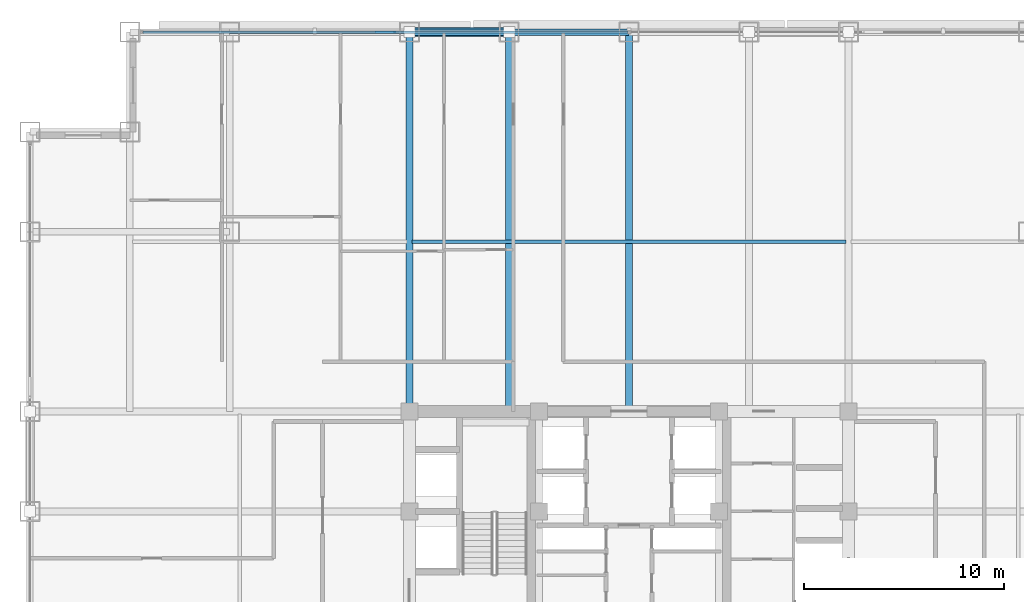
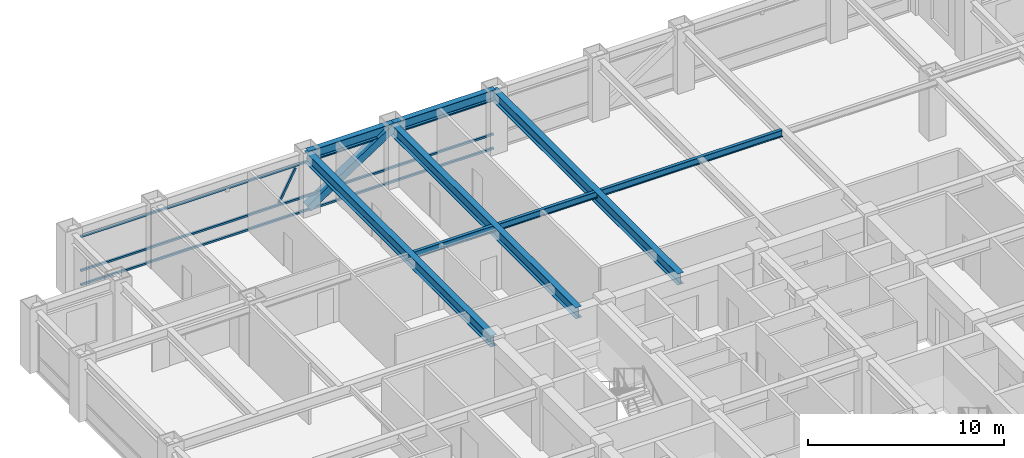
# One storey, part 15 of 29: 6 beams, 5 members, 1 element without a shape of its own.
"""IFC4 building model written with IfcOpenShell, lengths in metres."""

from ifc_helpers import new_model, si_unit, direction, frame, origin, origin_2d, place, context, subcontext, project, spatial, hollow_rectangle, i_section, extrude, source, transform, mapped, material, material_profile, profile_set, type_object, element, aggregate, save


model = new_model("IFC4")

# Units and contexts
model_context = context("Model", 3, precision=1e-05, world=origin(), true_north=direction((0.0, 1.0)))
body_context = subcontext(model_context, "Body", "Model", "MODEL_VIEW")
ifc_project = project(units=[si_unit("LENGTHUNIT", "METRE"), si_unit("AREAUNIT", "SQUARE_METRE"), si_unit("VOLUMEUNIT", "CUBIC_METRE"), si_unit("PLANEANGLEUNIT", "RADIAN"), si_unit("MASSUNIT", "GRAM", prefix="KILO")], contexts=[model_context])

# Site, building, storey
site_placement = place(None, origin())
site = spatial("IfcSite", under=ifc_project, at=site_placement, CompositionType="ELEMENT")
building_placement = place(site_placement, origin())
building = spatial("IfcBuilding", under=site, at=building_placement, Name="Khorayat Bourse Tower", CompositionType="ELEMENT")
storey_placement = place(building_placement, frame((0.0, 0.0, 243.10009765625)))
storey = spatial("IfcBuildingStorey", under=building, at=storey_placement, Name="L57", CompositionType="ELEMENT", Elevation=243.10009765625)

# Beams
ifc_material_1 = material(Name="Steel ASTM A992 Grade 50", Category="steel")
ifc_material_profile_1 = material_profile(ifc_material_1, i_section(OverallWidth=0.180908203125, OverallDepth=0.4169921875, WebThickness=0.010986328125, FlangeThickness=0.018310546875, FilletRadius=0.011962890625, at=origin_2d()), Name="W410X85")
ifc_profile_set_1 = profile_set([ifc_material_profile_1], Name="Steel ASTM A992 Grade 50")
beam_type_1 = type_object("IfcBeamType", Name="BM-JOIST-410", PredefinedType="JOIST", material=ifc_profile_set_1)
shared_shape_1 = source(origin(), body_context, "Body", "SweptSolid", [
    extrude(i_section(OverallWidth=0.180908203125, OverallDepth=0.4169921875, WebThickness=0.010986328125, FlangeThickness=0.018310546875, FilletRadius=0.011962890625, at=origin_2d()), origin(), (0.0, 0.0, 1.0), 21.740234375),
])
beam_1_placement = place(storey_placement, frame((-10.8701171875, 19.5, 3.5712890625), z_axis=(1.0, 0.0, 0.0), x_axis=(0.0, 1.0, 0.0)))
element("IfcBeam", 1, at=beam_1_placement, inside=storey, type_object=beam_type_1, Name="L57 BM-JOIST-410 BM-L57-JSTX-100", PredefinedType="JOIST", context=body_context, shape_type="MappedRepresentation", body=[
    mapped(shared_shape_1, transform((0.0, 0.0, 0.0), scale=1.0)),
])
ifc_material_profile_2 = material_profile(ifc_material_1, i_section(OverallWidth=0.324951171875, OverallDepth=0.615966796875, WebThickness=0.013916015625, FlangeThickness=0.021484375, FilletRadius=0.01611328125, at=origin_2d()), Name="W610X174")
ifc_profile_set_2 = profile_set([ifc_material_profile_2], Name="Steel ASTM A992 Grade 50")
beam_type_2 = type_object("IfcBeamType", Name="BM-SPAN-610", PredefinedType="SPANDREL", material=ifc_profile_set_2)
shared_shape_2 = source(origin(), body_context, "Body", "SweptSolid", [
    extrude(i_section(OverallWidth=0.324951171875, OverallDepth=0.615966796875, WebThickness=0.013916015625, FlangeThickness=0.021484375, FilletRadius=0.01611328125, at=origin_2d()), origin(), (0.0, 0.0, 1.0), 5.0),
])
beam_2_placement = place(storey_placement, frame((-11.0, 30.0, 3.471923828125), z_axis=(1.0, 0.0, 0.0), x_axis=(0.0, 1.0, 0.0)))
element("IfcBeam", 2, at=beam_2_placement, inside=storey, type_object=beam_type_2, Name="L57 BM-SPAN-610 BM-L57-SPN-049", PredefinedType="SPANDREL", context=body_context, shape_type="MappedRepresentation", body=[
    mapped(shared_shape_2, transform((0.0, 0.0, 0.0), scale=1.0)),
])
shared_shape_3 = source(origin(), body_context, "Body", "SweptSolid", [
    extrude(i_section(OverallWidth=0.324951171875, OverallDepth=0.615966796875, WebThickness=0.013916015625, FlangeThickness=0.021484375, FilletRadius=0.01611328125, at=origin_2d()), origin(), (0.0, 0.0, 1.0), 6.0),
])
beam_3_placement = place(storey_placement, frame((-6.0, 30.0, 3.471923828125), z_axis=(1.0, 0.0, 0.0), x_axis=(0.0, 1.0, 0.0)))
element("IfcBeam", 3, at=beam_3_placement, inside=storey, type_object=beam_type_2, Name="L57 BM-SPAN-610 BM-L57-SPN-048", PredefinedType="SPANDREL", context=body_context, shape_type="MappedRepresentation", body=[
    mapped(shared_shape_3, transform((0.0, 0.0, 0.0), scale=1.0)),
])
ifc_material_profile_3 = material_profile(ifc_material_1, i_section(OverallWidth=0.35498046875, OverallDepth=0.695068359375, WebThickness=0.015380859375, FlangeThickness=0.02490234375, FilletRadius=0.01806640625, at=origin_2d()), Name="W690X217")
ifc_profile_set_3 = profile_set([ifc_material_profile_3], Name="Steel ASTM A992 Grade 50")
beam_type_3 = type_object("IfcBeamType", Name="BM-GIRD-690", PredefinedType="BEAM", material=ifc_profile_set_3)
shared_shape_4 = source(origin(), body_context, "Body", "SweptSolid", [
    extrude(i_section(OverallWidth=0.35498046875, OverallDepth=0.695068359375, WebThickness=0.015380859375, FlangeThickness=0.02490234375, FilletRadius=0.01806640625, at=origin_2d()), origin(), (0.0, 0.0, 1.0), 19.0),
])
for number, where, z_axis, x_axis, name in (
    (4, (-11.0, 11.0, 3.432373046875), (0.0, 1.0, 0.0), (-1.0, 0.0, 0.0), "L57 BM-GIRD-690 BM-L57-RADY-064"),
    (5, (-6.0, 11.0, 3.432373046875), (0.0, 1.0, 0.0), (-1.0, 0.0, 0.0), "L57 BM-GIRD-690 BM-L57-RADY-066"),
    (6, (0.0, 11.0, 3.432373046875), (0.0, 1.0, 0.0), (-1.0, 0.0, 0.0), "L57 BM-GIRD-690 BM-L57-RADY-068"),
):
    element("IfcBeam", number, at=place(storey_placement, frame(where, z_axis=z_axis, x_axis=x_axis)), inside=storey, type_object=beam_type_3, Name=name, PredefinedType="BEAM", context=body_context, shape_type="MappedRepresentation", body=[
        mapped(shared_shape_4, transform((0.0, 0.0, 0.0), scale=1.0)),
    ])

# Member
ifc_material_2 = material(Name="Steel EN 10025-4 S460M", Category="steel")
ifc_material_profile_4 = material_profile(ifc_material_2, hollow_rectangle(XDim=0.449951171875, YDim=0.449951171875, WallThickness=0.02490234375, at=origin_2d()), Name="HSS 450x450x25")
ifc_profile_set_4 = profile_set([ifc_material_profile_4], Name="Steel EN 10025-4 S460M")
member_type_1 = type_object("IfcMemberType", Name="MBR-TUBE-450", PredefinedType="BRACE", material=ifc_profile_set_4)
shared_shape_5 = source(origin(), body_context, "Body", "SweptSolid", [
    extrude(hollow_rectangle(XDim=0.449951171875, YDim=0.449951171875, WallThickness=0.02490234375, at=origin_2d()), origin(), (0.0, 0.0, 1.0), 5.979736328125),
])
member_1_placement = place(storey_placement, frame((-11.0, 30.0, 0.25), z_axis=(0.836160261256, 0.0, 0.548485202623), x_axis=(0.0, 1.0, 0.0)))
element("IfcMember", 7, at=member_1_placement, inside=storey, type_object=member_type_1, Name="L57 Perimeter Tube Brace 03", PredefinedType="BRACE", context=body_context, shape_type="MappedRepresentation", body=[
    mapped(shared_shape_5, transform((0.0, 0.0, 0.0), scale=1.0)),
])

# Curtain wall, members
ifc_material_3 = material(Name="Aluminium EN AW-6063 T6", Category="aluminium")
curtain_wall_type = type_object("IfcCurtainWallType", Name="CW-SYS-03", PredefinedType="NOTDEFINED", material=ifc_material_3)
curtain_wall_placement = place(storey_placement, origin())
curtain_wall = element("IfcCurtainWall", 8, at=curtain_wall_placement, inside=storey, type_object=curtain_wall_type, Name="L57 Curtain Wall CW-L57-N1", PredefinedType="NOTDEFINED")
ifc_material_profile_5 = material_profile(ifc_material_3, hollow_rectangle(XDim=0.1201171875, YDim=0.1201171875, WallThickness=0.0048828125, at=origin_2d()), Name="ALU 120x120x5")
ifc_profile_set_5 = profile_set([ifc_material_profile_5], Name="Aluminium EN AW-6063 T6")
member_type_2 = type_object("IfcMemberType", Name="CWM-DIAG-120", PredefinedType="MULLION", material=ifc_profile_set_5)
shared_shape_6 = source(origin(), body_context, "Body", "SweptSolid", [
    extrude(hollow_rectangle(XDim=0.1201171875, YDim=0.1201171875, WallThickness=0.0048828125, at=origin_2d()), origin(), (0.0, 0.0, 1.0), 2.079345703125),
])
member_2_placement = place(storey_placement, frame((-12.67919921875, 30.0, 1.08984375), z_axis=(0.465760949701, 0.0, 0.884910581773), x_axis=(0.0, 1.0, 0.0)))
member_2 = element("IfcMember", 9, at=member_2_placement, type_object=member_type_2, Name="CW-L57-N1 Faceted Diagonal Mullion 1", PredefinedType="MULLION", context=body_context, shape_type="MappedRepresentation", body=[
    mapped(shared_shape_6, transform((0.0, 0.0, 0.0), scale=1.0)),
])
ifc_material_profile_6 = material_profile(ifc_material_3, hollow_rectangle(XDim=0.1201171875, YDim=0.1201171875, WallThickness=0.0048828125, at=origin_2d()), Name="ALU 120x120x5")
ifc_profile_set_6 = profile_set([ifc_material_profile_6], Name="Aluminium EN AW-6063 T6")
member_type_3 = type_object("IfcMemberType", Name="CWT-HORZ-120", PredefinedType="USERDEFINED", material=ifc_profile_set_6)
shared_shape_7 = source(origin(), body_context, "Body", "SweptSolid", [
    extrude(hollow_rectangle(XDim=0.1201171875, YDim=0.1201171875, WallThickness=0.0048828125, at=origin_2d()), origin(), (0.0, 0.0, 1.0), 24.27001953125),
])
member_3_placement = place(storey_placement, frame((-24.330078125, 30.0, 0.059814453125), z_axis=(1.0, 0.0, 0.0), x_axis=(0.0, 1.0, 0.0)))
member_3 = element("IfcMember", 10, at=member_3_placement, type_object=member_type_3, Name="CW-L57-N1 Horizontal Transom 1-1", ObjectType="TRANSOM", PredefinedType="USERDEFINED", context=body_context, shape_type="MappedRepresentation", body=[
    mapped(shared_shape_7, transform((0.0, 0.0, 0.0), scale=1.0)),
])
member_4_placement = place(storey_placement, frame((-24.330078125, 30.0, 0.949951171875), z_axis=(1.0, 0.0, 0.0), x_axis=(0.0, 1.0, 0.0)))
member_4 = element("IfcMember", 11, at=member_4_placement, type_object=member_type_3, Name="CW-L57-N1 Horizontal Transom 1-2", ObjectType="TRANSOM", PredefinedType="USERDEFINED", context=body_context, shape_type="MappedRepresentation", body=[
    mapped(shared_shape_7, transform((0.0, 0.0, 0.0), scale=1.0)),
])
member_5_placement = place(storey_placement, frame((-24.330078125, 30.0, 3.06982421875), z_axis=(1.0, 0.0, 0.0), x_axis=(0.0, 1.0, 0.0)))
member_5 = element("IfcMember", 12, at=member_5_placement, type_object=member_type_3, Name="CW-L57-N1 Horizontal Transom 1-3", ObjectType="TRANSOM", PredefinedType="USERDEFINED", context=body_context, shape_type="MappedRepresentation", body=[
    mapped(shared_shape_7, transform((0.0, 0.0, 0.0), scale=1.0)),
])
aggregate(curtain_wall, [member_3, member_4, member_5, member_2])

save(model, "model.ifc")
